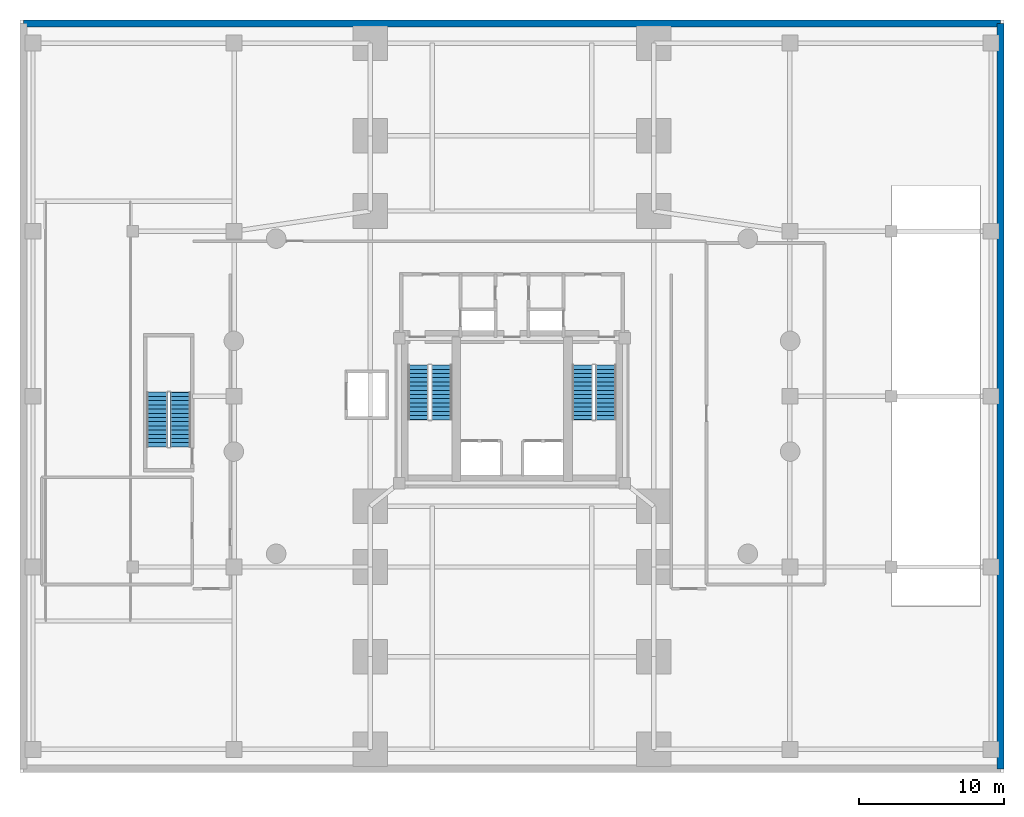
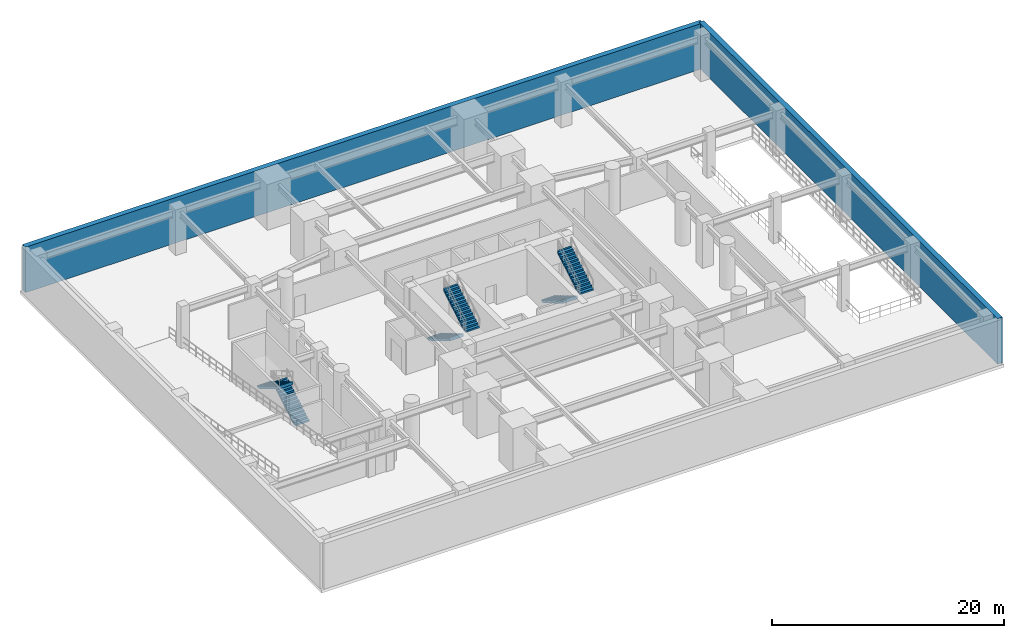
# One storey, part 5 of 7: 6 stair flights, 2 walls, 3 elements without a shape of their own.
"""IFC4 building model written with IfcOpenShell, lengths in metres."""

from ifc_helpers import new_model, si_unit, direction, frame, frame_2d, origin, place, context, subcontext, project, spatial, polyline, rectangle, outline, extrude, material, layer, layer_set, type_object, element, aggregate, save


model = new_model("IFC4")

# Units and contexts
model_context = context("Model", 3, precision=1e-05, world=origin(), true_north=direction((0.0, 1.0)))
body_context = subcontext(model_context, "Body", "Model", "MODEL_VIEW")
ifc_project = project(units=[si_unit("LENGTHUNIT", "METRE"), si_unit("AREAUNIT", "SQUARE_METRE"), si_unit("VOLUMEUNIT", "CUBIC_METRE"), si_unit("PLANEANGLEUNIT", "RADIAN"), si_unit("MASSUNIT", "GRAM", prefix="KILO"), si_unit("THERMODYNAMICTEMPERATUREUNIT", "KELVIN"), si_unit("POWERUNIT", "WATT")], contexts=[model_context])

# Site, building, storey
site_placement = place(None, origin())
site = spatial("IfcSite", under=ifc_project, at=site_placement, CompositionType="ELEMENT")
building_placement = place(site_placement, origin())
building = spatial("IfcBuilding", under=site, at=building_placement, Name="Ocrelia Relay Tower", CompositionType="ELEMENT")
storey_placement = place(building_placement, frame((0.0, 0.0, -4.800048828125)))
storey = spatial("IfcBuildingStorey", under=building, at=storey_placement, Name="B1", CompositionType="ELEMENT", Elevation=-4.800048828125)

# Walls
ifc_material = material(Name="Concrete C50/60", Category="concrete")
ifc_layer = layer(ifc_material, 0.5, Name="Concrete C50/60")
ifc_layer_set = layer_set([ifc_layer], Name="Concrete C50/60")
wall_type = type_object("IfcWallType", Name="W-RET-500", PredefinedType="SOLIDWALL", material=ifc_layer_set)
wall_1_placement = place(storey_placement, frame((67.75, 0.25, 0.0), z_axis=(0.0, 0.0, 1.0), x_axis=(0.0, 1.0, 0.0)))
element("IfcWall", 1, at=wall_1_placement, inside=storey, type_object=wall_type, Name="B1 Perimeter Retaining Wall E", PredefinedType="SOLIDWALL", context=body_context, shape_type="SweptSolid", body=[
    extrude(rectangle(XDim=51.5, YDim=0.5, at=frame_2d((25.75, 0.0))), origin(), (0.0, 0.0, 1.0), 4.800048828125),
])
wall_2_placement = place(storey_placement, frame((67.75, 51.75, 0.0), z_axis=(0.0, 0.0, 1.0), x_axis=(-1.0, 0.0, 0.0)))
element("IfcWall", 2, at=wall_2_placement, inside=storey, type_object=wall_type, Name="B1 Perimeter Retaining Wall N", PredefinedType="SOLIDWALL", context=body_context, shape_type="SweptSolid", body=[
    extrude(rectangle(XDim=67.5, YDim=0.5, at=frame_2d((33.75, 0.0))), origin(), (0.0, 0.0, 1.0), 4.800048828125),
])

# Stair, stair flights
stair_type = type_object("IfcStairType", Name="ST-DL-1420-R171", PredefinedType="HALF_TURN_STAIR", material=ifc_material)
stair_1_placement = place(storey_placement, origin())
stair_1 = element("IfcStair", 3, at=stair_1_placement, inside=storey, type_object=stair_type, Name="B1 West Core Exit Stair ST1", PredefinedType="HALF_TURN_STAIR")
stair_flight_type = type_object("IfcStairFlightType", Name="STF-DL-1420-R171", PredefinedType="STRAIGHT", material=ifc_material)
stair_flight_1_placement = place(storey_placement, frame((27.52001953125, 28.14990234375, 0.0), z_axis=(0.0, 0.0, 1.0), x_axis=(0.0, -1.0, 0.0)))
stair_flight_1 = element("IfcStairFlight", 4, at=stair_flight_1_placement, type_object=stair_flight_type, Name="ST1 flight 1", NumberOfRisers=14, NumberOfTreads=13, PredefinedType="STRAIGHT", RiserHeight=0.171428571, TreadLength=0.29, context=body_context, shape_type="SweptSolid", body=[
    extrude(outline(polyline([(-0.008056640625, 0.0), (-0.008056640625, 0.17138671875), (0.0, 0.17138671875), (0.2900390625, 0.17138671875), (0.2900390625, 0.3427734375), (0.580078125, 0.3427734375), (0.580078125, 0.514404296875), (0.8701171875, 0.514404296875), (0.8701171875, 0.685791015625), (1.159912109375, 0.685791015625), (1.159912109375, 0.857177734375), (1.449951171875, 0.857177734375), (1.449951171875, 1.028564453125), (1.739990234375, 1.028564453125), (1.739990234375, 1.199951171875), (2.030029296875, 1.199951171875), (2.030029296875, 1.371337890625), (2.320068359375, 1.371337890625), (2.320068359375, 1.54296875), (2.610107421875, 1.54296875), (2.610107421875, 1.71435546875), (2.89990234375, 1.71435546875), (2.89990234375, 1.8857421875), (3.18994140625, 1.8857421875), (3.18994140625, 2.05712890625), (3.47998046875, 2.05712890625), (3.47998046875, 2.228515625), (3.77001953125, 2.228515625), (3.77001953125, 2.39990234375), (3.778076171875, 2.39990234375), (3.778076171875, 2.054443359375), (0.294677734375, 0.0), (-0.008056640625, 0.0)])), frame((0.0, 0.7099609375, 0.0), z_axis=(0.0, -1.0, 0.0), x_axis=(1.0, 0.0, 0.0)), (0.0, 0.0, 1.0), 1.419921875),
])
stair_flight_2_placement = place(storey_placement, frame((29.139892578125, 24.3798828125, 2.400146484375), z_axis=(0.0, 0.0, 1.0), x_axis=(0.0, 1.0, 0.0)))
stair_flight_2 = element("IfcStairFlight", 5, at=stair_flight_2_placement, type_object=stair_flight_type, Name="ST1 flight 2", NumberOfRisers=14, NumberOfTreads=13, PredefinedType="STRAIGHT", RiserHeight=0.171428571, TreadLength=0.29, context=body_context, shape_type="SweptSolid", body=[
    extrude(outline(polyline([(-0.008056640625, 0.0), (-0.008056640625, 0.17138671875), (0.0, 0.17138671875), (0.2900390625, 0.17138671875), (0.2900390625, 0.3427734375), (0.580078125, 0.3427734375), (0.580078125, 0.514404296875), (0.8701171875, 0.514404296875), (0.8701171875, 0.685791015625), (1.159912109375, 0.685791015625), (1.159912109375, 0.857177734375), (1.449951171875, 0.857177734375), (1.449951171875, 1.028564453125), (1.739990234375, 1.028564453125), (1.739990234375, 1.199951171875), (2.030029296875, 1.199951171875), (2.030029296875, 1.371337890625), (2.320068359375, 1.371337890625), (2.320068359375, 1.54296875), (2.610107421875, 1.54296875), (2.610107421875, 1.71435546875), (2.89990234375, 1.71435546875), (2.89990234375, 1.8857421875), (3.18994140625, 1.8857421875), (3.18994140625, 2.05712890625), (3.47998046875, 2.05712890625), (3.47998046875, 2.228515625), (3.77001953125, 2.228515625), (3.77001953125, 2.39990234375), (3.778076171875, 2.39990234375), (3.778076171875, 2.054443359375), (0.294677734375, 0.0), (-0.008056640625, 0.0)])), frame((0.0, 0.7099609375, 0.0), z_axis=(0.0, -1.0, 0.0), x_axis=(1.0, 0.0, 0.0)), (0.0, 0.0, 1.0), 1.419921875),
])
aggregate(stair_1, [stair_flight_1, stair_flight_2])

stair_2_placement = place(storey_placement, origin())
stair_2 = element("IfcStair", 6, at=stair_2_placement, inside=storey, type_object=stair_type, Name="B1 East Core Exit Stair ST2", PredefinedType="HALF_TURN_STAIR")
stair_flight_3_placement = place(storey_placement, frame((38.8701171875, 28.14990234375, 0.0), z_axis=(0.0, 0.0, 1.0), x_axis=(0.0, -1.0, 0.0)))
stair_flight_3 = element("IfcStairFlight", 7, at=stair_flight_3_placement, type_object=stair_flight_type, Name="ST2 flight 1", NumberOfRisers=14, NumberOfTreads=13, PredefinedType="STRAIGHT", RiserHeight=0.171428571, TreadLength=0.29, context=body_context, shape_type="SweptSolid", body=[
    extrude(outline(polyline([(-0.008056640625, 0.0), (-0.008056640625, 0.17138671875), (0.0, 0.17138671875), (0.2900390625, 0.17138671875), (0.2900390625, 0.3427734375), (0.580078125, 0.3427734375), (0.580078125, 0.514404296875), (0.8701171875, 0.514404296875), (0.8701171875, 0.685791015625), (1.159912109375, 0.685791015625), (1.159912109375, 0.857177734375), (1.449951171875, 0.857177734375), (1.449951171875, 1.028564453125), (1.739990234375, 1.028564453125), (1.739990234375, 1.199951171875), (2.030029296875, 1.199951171875), (2.030029296875, 1.371337890625), (2.320068359375, 1.371337890625), (2.320068359375, 1.54296875), (2.610107421875, 1.54296875), (2.610107421875, 1.71435546875), (2.89990234375, 1.71435546875), (2.89990234375, 1.8857421875), (3.18994140625, 1.8857421875), (3.18994140625, 2.05712890625), (3.47998046875, 2.05712890625), (3.47998046875, 2.228515625), (3.77001953125, 2.228515625), (3.77001953125, 2.39990234375), (3.778076171875, 2.39990234375), (3.778076171875, 2.054443359375), (0.294677734375, 0.0), (-0.008056640625, 0.0)])), frame((0.0, 0.7099609375, 0.0), z_axis=(0.0, -1.0, 0.0), x_axis=(1.0, 0.0, 0.0)), (0.0, 0.0, 1.0), 1.419921875),
])
stair_flight_4_placement = place(storey_placement, frame((40.489990234375, 24.3798828125, 2.400146484375), z_axis=(0.0, 0.0, 1.0), x_axis=(0.0, 1.0, 0.0)))
stair_flight_4 = element("IfcStairFlight", 8, at=stair_flight_4_placement, type_object=stair_flight_type, Name="ST2 flight 2", NumberOfRisers=14, NumberOfTreads=13, PredefinedType="STRAIGHT", RiserHeight=0.171428571, TreadLength=0.29, context=body_context, shape_type="SweptSolid", body=[
    extrude(outline(polyline([(-0.008056640625, 0.0), (-0.008056640625, 0.17138671875), (0.0, 0.17138671875), (0.2900390625, 0.17138671875), (0.2900390625, 0.3427734375), (0.580078125, 0.3427734375), (0.580078125, 0.514404296875), (0.8701171875, 0.514404296875), (0.8701171875, 0.685791015625), (1.159912109375, 0.685791015625), (1.159912109375, 0.857177734375), (1.449951171875, 0.857177734375), (1.449951171875, 1.028564453125), (1.739990234375, 1.028564453125), (1.739990234375, 1.199951171875), (2.030029296875, 1.199951171875), (2.030029296875, 1.371337890625), (2.320068359375, 1.371337890625), (2.320068359375, 1.54296875), (2.610107421875, 1.54296875), (2.610107421875, 1.71435546875), (2.89990234375, 1.71435546875), (2.89990234375, 1.8857421875), (3.18994140625, 1.8857421875), (3.18994140625, 2.05712890625), (3.47998046875, 2.05712890625), (3.47998046875, 2.228515625), (3.77001953125, 2.228515625), (3.77001953125, 2.39990234375), (3.778076171875, 2.39990234375), (3.778076171875, 2.054443359375), (0.294677734375, 0.0), (-0.008056640625, 0.0)])), frame((0.0, 0.7099609375, 0.0), z_axis=(0.0, -1.0, 0.0), x_axis=(1.0, 0.0, 0.0)), (0.0, 0.0, 1.0), 1.419921875),
])
aggregate(stair_2, [stair_flight_3, stair_flight_4])

stair_3_placement = place(storey_placement, origin())
stair_3 = element("IfcStair", 9, at=stair_3_placement, inside=storey, type_object=stair_type, Name="B1 Podium West Exit Stair ST3", PredefinedType="HALF_TURN_STAIR")
stair_flight_5_placement = place(storey_placement, frame((11.090087890625, 22.5, 0.0), z_axis=(0.0, 0.0, 1.0), x_axis=(0.0, 1.0, 0.0)))
stair_flight_5 = element("IfcStairFlight", 10, at=stair_flight_5_placement, type_object=stair_flight_type, Name="ST3 flight 1", NumberOfRisers=14, NumberOfTreads=13, PredefinedType="STRAIGHT", RiserHeight=0.171428571, TreadLength=0.29, context=body_context, shape_type="SweptSolid", body=[
    extrude(outline(polyline([(-0.008056640625, 0.0), (-0.008056640625, 0.17138671875), (0.0, 0.17138671875), (0.2900390625, 0.17138671875), (0.2900390625, 0.3427734375), (0.580078125, 0.3427734375), (0.580078125, 0.514404296875), (0.8701171875, 0.514404296875), (0.8701171875, 0.685791015625), (1.159912109375, 0.685791015625), (1.159912109375, 0.857177734375), (1.449951171875, 0.857177734375), (1.449951171875, 1.028564453125), (1.739990234375, 1.028564453125), (1.739990234375, 1.199951171875), (2.030029296875, 1.199951171875), (2.030029296875, 1.371337890625), (2.320068359375, 1.371337890625), (2.320068359375, 1.54296875), (2.610107421875, 1.54296875), (2.610107421875, 1.71435546875), (2.89990234375, 1.71435546875), (2.89990234375, 1.8857421875), (3.18994140625, 1.8857421875), (3.18994140625, 2.05712890625), (3.47998046875, 2.05712890625), (3.47998046875, 2.228515625), (3.77001953125, 2.228515625), (3.77001953125, 2.39990234375), (3.778076171875, 2.39990234375), (3.778076171875, 2.054443359375), (0.294677734375, 0.0), (-0.008056640625, 0.0)])), frame((0.0, 0.7099609375, 0.0), z_axis=(0.0, -1.0, 0.0), x_axis=(1.0, 0.0, 0.0)), (0.0, 0.0, 1.0), 1.419921875),
])
stair_flight_6_placement = place(storey_placement, frame((9.469970703125, 26.27001953125, 2.400146484375), z_axis=(0.0, 0.0, 1.0), x_axis=(0.0, -1.0, 0.0)))
stair_flight_6 = element("IfcStairFlight", 11, at=stair_flight_6_placement, type_object=stair_flight_type, Name="ST3 flight 2", NumberOfRisers=14, NumberOfTreads=13, PredefinedType="STRAIGHT", RiserHeight=0.171428571, TreadLength=0.29, context=body_context, shape_type="SweptSolid", body=[
    extrude(outline(polyline([(-0.008056640625, 0.0), (-0.008056640625, 0.17138671875), (0.0, 0.17138671875), (0.2900390625, 0.17138671875), (0.2900390625, 0.3427734375), (0.580078125, 0.3427734375), (0.580078125, 0.514404296875), (0.8701171875, 0.514404296875), (0.8701171875, 0.685791015625), (1.159912109375, 0.685791015625), (1.159912109375, 0.857177734375), (1.449951171875, 0.857177734375), (1.449951171875, 1.028564453125), (1.739990234375, 1.028564453125), (1.739990234375, 1.199951171875), (2.030029296875, 1.199951171875), (2.030029296875, 1.371337890625), (2.320068359375, 1.371337890625), (2.320068359375, 1.54296875), (2.610107421875, 1.54296875), (2.610107421875, 1.71435546875), (2.89990234375, 1.71435546875), (2.89990234375, 1.8857421875), (3.18994140625, 1.8857421875), (3.18994140625, 2.05712890625), (3.47998046875, 2.05712890625), (3.47998046875, 2.228515625), (3.77001953125, 2.228515625), (3.77001953125, 2.39990234375), (3.778076171875, 2.39990234375), (3.778076171875, 2.054443359375), (0.294677734375, 0.0), (-0.008056640625, 0.0)])), frame((0.0, 0.7099609375, 0.0), z_axis=(0.0, -1.0, 0.0), x_axis=(1.0, 0.0, 0.0)), (0.0, 0.0, 1.0), 1.419921875),
])
aggregate(stair_3, [stair_flight_5, stair_flight_6])

save(model, "model.ifc")
